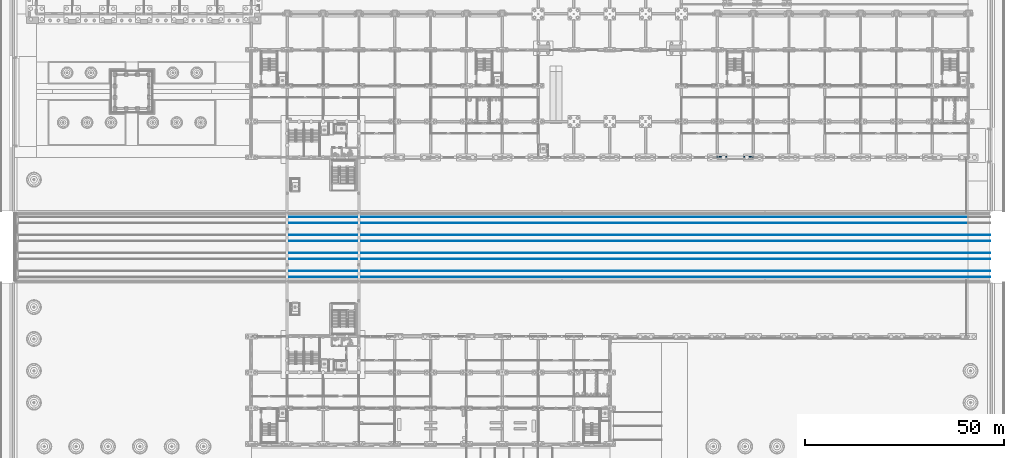
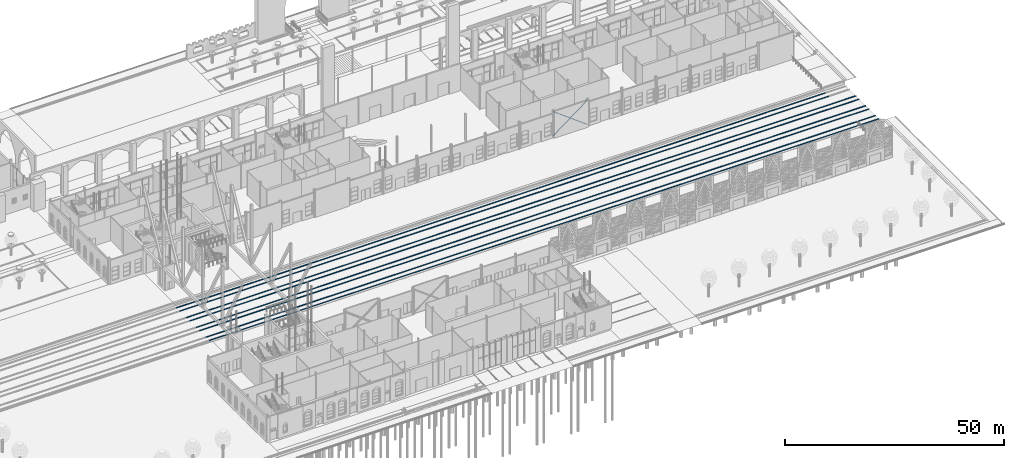
# One storey, part 52 of 250: 16 members.
"""IFC4 building model written with IfcOpenShell, lengths in metres."""

from ifc_helpers import new_model, si_unit, direction, frame, origin, origin_2d, place, context, subcontext, project, spatial, polyline, hollow_circle, outline, extrude, material, material_profile, profile_set, type_object, element, save


model = new_model("IFC4")

# Units and contexts
model_context = context("Model", 3, precision=1e-05, world=origin(), true_north=direction((0.0, 1.0)))
body_context = subcontext(model_context, "Body", "Model", "MODEL_VIEW")
ifc_project = project(units=[si_unit("LENGTHUNIT", "METRE"), si_unit("AREAUNIT", "SQUARE_METRE"), si_unit("VOLUMEUNIT", "CUBIC_METRE"), si_unit("PLANEANGLEUNIT", "RADIAN"), si_unit("MASSUNIT", "GRAM", prefix="KILO")], contexts=[model_context])

# Site, building, storey
site_placement = place(None, origin())
site = spatial("IfcSite", under=ifc_project, at=site_placement, CompositionType="ELEMENT")
building_placement = place(site_placement, origin())
building = spatial("IfcBuilding", under=site, at=building_placement, Name="Baradari Gate Terminus", CompositionType="ELEMENT")
storey_placement = place(building_placement, origin())
storey = spatial("IfcBuildingStorey", under=building, at=storey_placement, Name="L00", CompositionType="ELEMENT", Elevation=0.0)

# Members
ifc_material_1 = material(Name="Steel S355", Category="steel")
ifc_material_profile_1 = material_profile(ifc_material_1, hollow_circle(Radius=0.122314453125, WallThickness=0.012451171875, at=origin_2d()), Name="CHS 244.5x12.5")
ifc_profile_set_1 = profile_set([ifc_material_profile_1], Name="Steel S355")
member_type_1 = type_object("IfcMemberType", Name="Column bracing X05 CHS 244.5x12.5", PredefinedType="BRACE", material=ifc_profile_set_1)
for number, where, z_axis, x_axis, name in (
    (1, (180.0, 81.10009765625, 0.35009765625), (0.8, 0.0, 0.6), (0.0, 1.0, 0.0), "Column bracing 21-22 line K L00"),
    (2, (189.0, 81.10009765625, 0.35009765625), (-0.8, 0.0, 0.6), (0.0, -1.0, 0.0), "Column bracing 21-22 line K L00"),
):
    element("IfcMember", number, at=place(storey_placement, frame(where, z_axis=z_axis, x_axis=x_axis)), inside=storey, type_object=member_type_1, Name=name, PredefinedType="BRACE", context=body_context, shape_type="SweptSolid", body=[
        extrude(hollow_circle(Radius=0.122314453125, WallThickness=0.012451171875, at=origin_2d()), origin(), (0.0, 0.0, 1.0), 11.25),
    ])
ifc_material_2 = material(Name="Steel R260", Category="steel")
ifc_material_profile_2 = material_profile(ifc_material_2, outline(polyline([(-0.074951171875, 0.0), (0.074951171875, 0.0), (0.074951171875, 0.010986328125), (0.0400390625, 0.01708984375), (0.00830078125, 0.028076171875), (0.00830078125, 0.092041015625), (0.02001953125, 0.10400390625), (0.035888671875, 0.1220703125), (0.035888671875, 0.159912109375), (0.030029296875, 0.172119140625), (-0.030029296875, 0.172119140625), (-0.035888671875, 0.159912109375), (-0.035888671875, 0.1220703125), (-0.02001953125, 0.10400390625), (-0.00830078125, 0.092041015625), (-0.00830078125, 0.028076171875), (-0.0400390625, 0.01708984375), (-0.074951171875, 0.010986328125), (-0.074951171875, 0.0)])), Name="UIC 60 (60E1)")
ifc_profile_set_2 = profile_set([ifc_material_profile_2], Name="Steel R260")
member_type_2 = type_object("IfcMemberType", Name="Rail UIC 60 RL1", PredefinedType="USERDEFINED", material=ifc_profile_set_2)
member_1_placement = place(storey_placement, frame((72.0, 50.99658203125, -0.721923828125), z_axis=(1.0, 0.0, 0.0), x_axis=(0.0, 1.0, 0.0)))
element("IfcMember", 3, at=member_1_placement, inside=storey, type_object=member_type_2, Name="Rail T1a S", ObjectType="RAIL", PredefinedType="USERDEFINED", context=body_context, shape_type="SweptSolid", body=[
    extrude(outline(polyline([(-0.074951171875, 0.0), (0.074951171875, 0.0), (0.074951171875, 0.010986328125), (0.0400390625, 0.01708984375), (0.00830078125, 0.028076171875), (0.00830078125, 0.092041015625), (0.02001953125, 0.10400390625), (0.035888671875, 0.1220703125), (0.035888671875, 0.159912109375), (0.030029296875, 0.172119140625), (-0.030029296875, 0.172119140625), (-0.035888671875, 0.159912109375), (-0.035888671875, 0.1220703125), (-0.02001953125, 0.10400390625), (-0.00830078125, 0.092041015625), (-0.00830078125, 0.028076171875), (-0.0400390625, 0.01708984375), (-0.074951171875, 0.010986328125), (-0.074951171875, 0.0)])), origin(), (0.0, 0.0, 1.0), 171.0),
])
member_2_placement = place(storey_placement, frame((243.0, 50.99658203125, -0.721923828125), z_axis=(1.0, 0.0, 0.0), x_axis=(0.0, 1.0, 0.0)))
element("IfcMember", 4, at=member_2_placement, inside=storey, type_object=member_type_2, Name="Rail T1a E", ObjectType="RAIL", PredefinedType="USERDEFINED", context=body_context, shape_type="SweptSolid", body=[
    extrude(outline(polyline([(-0.074951171875, 0.0), (0.074951171875, 0.0), (0.074951171875, 0.010986328125), (0.0400390625, 0.01708984375), (0.00830078125, 0.028076171875), (0.00830078125, 0.092041015625), (0.02001953125, 0.10400390625), (0.035888671875, 0.1220703125), (0.035888671875, 0.159912109375), (0.030029296875, 0.172119140625), (-0.030029296875, 0.172119140625), (-0.035888671875, 0.159912109375), (-0.035888671875, 0.1220703125), (-0.02001953125, 0.10400390625), (-0.00830078125, 0.092041015625), (-0.00830078125, 0.028076171875), (-0.0400390625, 0.01708984375), (-0.074951171875, 0.010986328125), (-0.074951171875, 0.0)])), origin(), (0.0, 0.0, 1.0), 5.5),
])
member_3_placement = place(storey_placement, frame((72.0, 52.50341796875, -0.721923828125), z_axis=(1.0, 0.0, 0.0), x_axis=(0.0, 1.0, 0.0)))
element("IfcMember", 5, at=member_3_placement, inside=storey, type_object=member_type_2, Name="Rail T1b S", ObjectType="RAIL", PredefinedType="USERDEFINED", context=body_context, shape_type="SweptSolid", body=[
    extrude(outline(polyline([(-0.074951171875, 0.0), (0.074951171875, 0.0), (0.074951171875, 0.010986328125), (0.0400390625, 0.01708984375), (0.00830078125, 0.028076171875), (0.00830078125, 0.092041015625), (0.02001953125, 0.10400390625), (0.035888671875, 0.1220703125), (0.035888671875, 0.159912109375), (0.030029296875, 0.172119140625), (-0.030029296875, 0.172119140625), (-0.035888671875, 0.159912109375), (-0.035888671875, 0.1220703125), (-0.02001953125, 0.10400390625), (-0.00830078125, 0.092041015625), (-0.00830078125, 0.028076171875), (-0.0400390625, 0.01708984375), (-0.074951171875, 0.010986328125), (-0.074951171875, 0.0)])), origin(), (0.0, 0.0, 1.0), 171.0),
])
member_4_placement = place(storey_placement, frame((243.0, 52.50341796875, -0.721923828125), z_axis=(1.0, 0.0, 0.0), x_axis=(0.0, 1.0, 0.0)))
element("IfcMember", 6, at=member_4_placement, inside=storey, type_object=member_type_2, Name="Rail T1b E", ObjectType="RAIL", PredefinedType="USERDEFINED", context=body_context, shape_type="SweptSolid", body=[
    extrude(outline(polyline([(-0.074951171875, 0.0), (0.074951171875, 0.0), (0.074951171875, 0.010986328125), (0.0400390625, 0.01708984375), (0.00830078125, 0.028076171875), (0.00830078125, 0.092041015625), (0.02001953125, 0.10400390625), (0.035888671875, 0.1220703125), (0.035888671875, 0.159912109375), (0.030029296875, 0.172119140625), (-0.030029296875, 0.172119140625), (-0.035888671875, 0.159912109375), (-0.035888671875, 0.1220703125), (-0.02001953125, 0.10400390625), (-0.00830078125, 0.092041015625), (-0.00830078125, 0.028076171875), (-0.0400390625, 0.01708984375), (-0.074951171875, 0.010986328125), (-0.074951171875, 0.0)])), origin(), (0.0, 0.0, 1.0), 5.5),
])
member_5_placement = place(storey_placement, frame((72.0, 55.49658203125, -0.721923828125), z_axis=(1.0, 0.0, 0.0), x_axis=(0.0, 1.0, 0.0)))
element("IfcMember", 7, at=member_5_placement, inside=storey, type_object=member_type_2, Name="Rail T2a S", ObjectType="RAIL", PredefinedType="USERDEFINED", context=body_context, shape_type="SweptSolid", body=[
    extrude(outline(polyline([(-0.074951171875, 0.0), (0.074951171875, 0.0), (0.074951171875, 0.010986328125), (0.0400390625, 0.01708984375), (0.00830078125, 0.028076171875), (0.00830078125, 0.092041015625), (0.02001953125, 0.10400390625), (0.035888671875, 0.1220703125), (0.035888671875, 0.159912109375), (0.030029296875, 0.172119140625), (-0.030029296875, 0.172119140625), (-0.035888671875, 0.159912109375), (-0.035888671875, 0.1220703125), (-0.02001953125, 0.10400390625), (-0.00830078125, 0.092041015625), (-0.00830078125, 0.028076171875), (-0.0400390625, 0.01708984375), (-0.074951171875, 0.010986328125), (-0.074951171875, 0.0)])), origin(), (0.0, 0.0, 1.0), 171.0),
])
member_6_placement = place(storey_placement, frame((243.0, 55.49658203125, -0.721923828125), z_axis=(1.0, 0.0, 0.0), x_axis=(0.0, 1.0, 0.0)))
element("IfcMember", 8, at=member_6_placement, inside=storey, type_object=member_type_2, Name="Rail T2a E", ObjectType="RAIL", PredefinedType="USERDEFINED", context=body_context, shape_type="SweptSolid", body=[
    extrude(outline(polyline([(-0.074951171875, 0.0), (0.074951171875, 0.0), (0.074951171875, 0.010986328125), (0.0400390625, 0.01708984375), (0.00830078125, 0.028076171875), (0.00830078125, 0.092041015625), (0.02001953125, 0.10400390625), (0.035888671875, 0.1220703125), (0.035888671875, 0.159912109375), (0.030029296875, 0.172119140625), (-0.030029296875, 0.172119140625), (-0.035888671875, 0.159912109375), (-0.035888671875, 0.1220703125), (-0.02001953125, 0.10400390625), (-0.00830078125, 0.092041015625), (-0.00830078125, 0.028076171875), (-0.0400390625, 0.01708984375), (-0.074951171875, 0.010986328125), (-0.074951171875, 0.0)])), origin(), (0.0, 0.0, 1.0), 5.5),
])
member_7_placement = place(storey_placement, frame((72.0, 57.00341796875, -0.721923828125), z_axis=(1.0, 0.0, 0.0), x_axis=(0.0, 1.0, 0.0)))
element("IfcMember", 9, at=member_7_placement, inside=storey, type_object=member_type_2, Name="Rail T2b S", ObjectType="RAIL", PredefinedType="USERDEFINED", context=body_context, shape_type="SweptSolid", body=[
    extrude(outline(polyline([(-0.074951171875, 0.0), (0.074951171875, 0.0), (0.074951171875, 0.010986328125), (0.0400390625, 0.01708984375), (0.00830078125, 0.028076171875), (0.00830078125, 0.092041015625), (0.02001953125, 0.10400390625), (0.035888671875, 0.1220703125), (0.035888671875, 0.159912109375), (0.030029296875, 0.172119140625), (-0.030029296875, 0.172119140625), (-0.035888671875, 0.159912109375), (-0.035888671875, 0.1220703125), (-0.02001953125, 0.10400390625), (-0.00830078125, 0.092041015625), (-0.00830078125, 0.028076171875), (-0.0400390625, 0.01708984375), (-0.074951171875, 0.010986328125), (-0.074951171875, 0.0)])), origin(), (0.0, 0.0, 1.0), 171.0),
])
member_8_placement = place(storey_placement, frame((243.0, 57.00341796875, -0.721923828125), z_axis=(1.0, 0.0, 0.0), x_axis=(0.0, 1.0, 0.0)))
element("IfcMember", 10, at=member_8_placement, inside=storey, type_object=member_type_2, Name="Rail T2b E", ObjectType="RAIL", PredefinedType="USERDEFINED", context=body_context, shape_type="SweptSolid", body=[
    extrude(outline(polyline([(-0.074951171875, 0.0), (0.074951171875, 0.0), (0.074951171875, 0.010986328125), (0.0400390625, 0.01708984375), (0.00830078125, 0.028076171875), (0.00830078125, 0.092041015625), (0.02001953125, 0.10400390625), (0.035888671875, 0.1220703125), (0.035888671875, 0.159912109375), (0.030029296875, 0.172119140625), (-0.030029296875, 0.172119140625), (-0.035888671875, 0.159912109375), (-0.035888671875, 0.1220703125), (-0.02001953125, 0.10400390625), (-0.00830078125, 0.092041015625), (-0.00830078125, 0.028076171875), (-0.0400390625, 0.01708984375), (-0.074951171875, 0.010986328125), (-0.074951171875, 0.0)])), origin(), (0.0, 0.0, 1.0), 5.5),
])
member_9_placement = place(storey_placement, frame((72.0, 59.99658203125, -0.721923828125), z_axis=(1.0, 0.0, 0.0), x_axis=(0.0, 1.0, 0.0)))
element("IfcMember", 11, at=member_9_placement, inside=storey, type_object=member_type_2, Name="Rail T3a S", ObjectType="RAIL", PredefinedType="USERDEFINED", context=body_context, shape_type="SweptSolid", body=[
    extrude(outline(polyline([(-0.074951171875, 0.0), (0.074951171875, 0.0), (0.074951171875, 0.010986328125), (0.0400390625, 0.01708984375), (0.00830078125, 0.028076171875), (0.00830078125, 0.092041015625), (0.02001953125, 0.10400390625), (0.035888671875, 0.1220703125), (0.035888671875, 0.159912109375), (0.030029296875, 0.172119140625), (-0.030029296875, 0.172119140625), (-0.035888671875, 0.159912109375), (-0.035888671875, 0.1220703125), (-0.02001953125, 0.10400390625), (-0.00830078125, 0.092041015625), (-0.00830078125, 0.028076171875), (-0.0400390625, 0.01708984375), (-0.074951171875, 0.010986328125), (-0.074951171875, 0.0)])), origin(), (0.0, 0.0, 1.0), 171.0),
])
member_10_placement = place(storey_placement, frame((243.0, 59.99658203125, -0.721923828125), z_axis=(1.0, 0.0, 0.0), x_axis=(0.0, 1.0, 0.0)))
element("IfcMember", 12, at=member_10_placement, inside=storey, type_object=member_type_2, Name="Rail T3a E", ObjectType="RAIL", PredefinedType="USERDEFINED", context=body_context, shape_type="SweptSolid", body=[
    extrude(outline(polyline([(-0.074951171875, 0.0), (0.074951171875, 0.0), (0.074951171875, 0.010986328125), (0.0400390625, 0.01708984375), (0.00830078125, 0.028076171875), (0.00830078125, 0.092041015625), (0.02001953125, 0.10400390625), (0.035888671875, 0.1220703125), (0.035888671875, 0.159912109375), (0.030029296875, 0.172119140625), (-0.030029296875, 0.172119140625), (-0.035888671875, 0.159912109375), (-0.035888671875, 0.1220703125), (-0.02001953125, 0.10400390625), (-0.00830078125, 0.092041015625), (-0.00830078125, 0.028076171875), (-0.0400390625, 0.01708984375), (-0.074951171875, 0.010986328125), (-0.074951171875, 0.0)])), origin(), (0.0, 0.0, 1.0), 5.5),
])
member_11_placement = place(storey_placement, frame((72.0, 61.50341796875, -0.721923828125), z_axis=(1.0, 0.0, 0.0), x_axis=(0.0, 1.0, 0.0)))
element("IfcMember", 13, at=member_11_placement, inside=storey, type_object=member_type_2, Name="Rail T3b S", ObjectType="RAIL", PredefinedType="USERDEFINED", context=body_context, shape_type="SweptSolid", body=[
    extrude(outline(polyline([(-0.074951171875, 0.0), (0.074951171875, 0.0), (0.074951171875, 0.010986328125), (0.0400390625, 0.01708984375), (0.00830078125, 0.028076171875), (0.00830078125, 0.092041015625), (0.02001953125, 0.10400390625), (0.035888671875, 0.1220703125), (0.035888671875, 0.159912109375), (0.030029296875, 0.172119140625), (-0.030029296875, 0.172119140625), (-0.035888671875, 0.159912109375), (-0.035888671875, 0.1220703125), (-0.02001953125, 0.10400390625), (-0.00830078125, 0.092041015625), (-0.00830078125, 0.028076171875), (-0.0400390625, 0.01708984375), (-0.074951171875, 0.010986328125), (-0.074951171875, 0.0)])), origin(), (0.0, 0.0, 1.0), 171.0),
])
member_12_placement = place(storey_placement, frame((243.0, 61.50341796875, -0.721923828125), z_axis=(1.0, 0.0, 0.0), x_axis=(0.0, 1.0, 0.0)))
element("IfcMember", 14, at=member_12_placement, inside=storey, type_object=member_type_2, Name="Rail T3b E", ObjectType="RAIL", PredefinedType="USERDEFINED", context=body_context, shape_type="SweptSolid", body=[
    extrude(outline(polyline([(-0.074951171875, 0.0), (0.074951171875, 0.0), (0.074951171875, 0.010986328125), (0.0400390625, 0.01708984375), (0.00830078125, 0.028076171875), (0.00830078125, 0.092041015625), (0.02001953125, 0.10400390625), (0.035888671875, 0.1220703125), (0.035888671875, 0.159912109375), (0.030029296875, 0.172119140625), (-0.030029296875, 0.172119140625), (-0.035888671875, 0.159912109375), (-0.035888671875, 0.1220703125), (-0.02001953125, 0.10400390625), (-0.00830078125, 0.092041015625), (-0.00830078125, 0.028076171875), (-0.0400390625, 0.01708984375), (-0.074951171875, 0.010986328125), (-0.074951171875, 0.0)])), origin(), (0.0, 0.0, 1.0), 5.5),
])
for number, where, z_axis, x_axis, name in (
    (15, (72.0, 64.49658203125, -0.721923828125), (1.0, 0.0, 0.0), (0.0, 1.0, 0.0), "Rail T4a S"),
    (16, (72.0, 66.00341796875, -0.721923828125), (1.0, 0.0, 0.0), (0.0, 1.0, 0.0), "Rail T4b S"),
):
    element("IfcMember", number, at=place(storey_placement, frame(where, z_axis=z_axis, x_axis=x_axis)), inside=storey, type_object=member_type_2, Name=name, ObjectType="RAIL", PredefinedType="USERDEFINED", context=body_context, shape_type="SweptSolid", body=[
        extrude(outline(polyline([(-0.074951171875, 0.0), (0.074951171875, 0.0), (0.074951171875, 0.010986328125), (0.0400390625, 0.01708984375), (0.00830078125, 0.028076171875), (0.00830078125, 0.092041015625), (0.02001953125, 0.10400390625), (0.035888671875, 0.1220703125), (0.035888671875, 0.159912109375), (0.030029296875, 0.172119140625), (-0.030029296875, 0.172119140625), (-0.035888671875, 0.159912109375), (-0.035888671875, 0.1220703125), (-0.02001953125, 0.10400390625), (-0.00830078125, 0.092041015625), (-0.00830078125, 0.028076171875), (-0.0400390625, 0.01708984375), (-0.074951171875, 0.010986328125), (-0.074951171875, 0.0)])), origin(), (0.0, 0.0, 1.0), 171.0),
    ])

save(model, "model.ifc")
